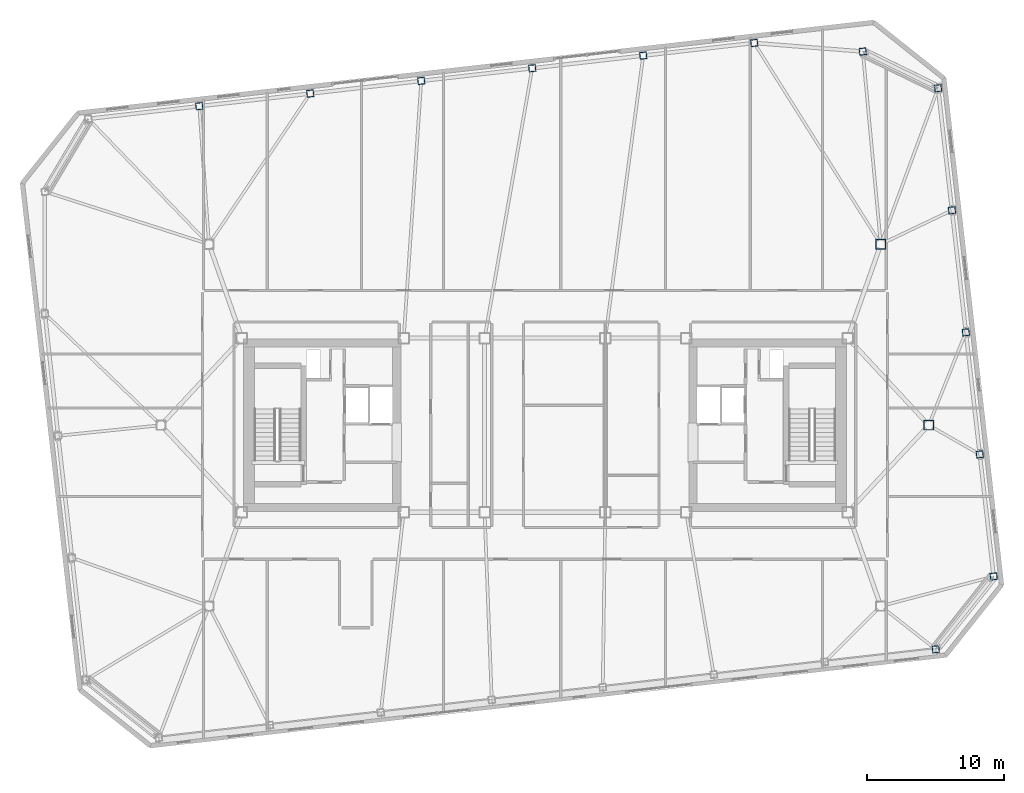
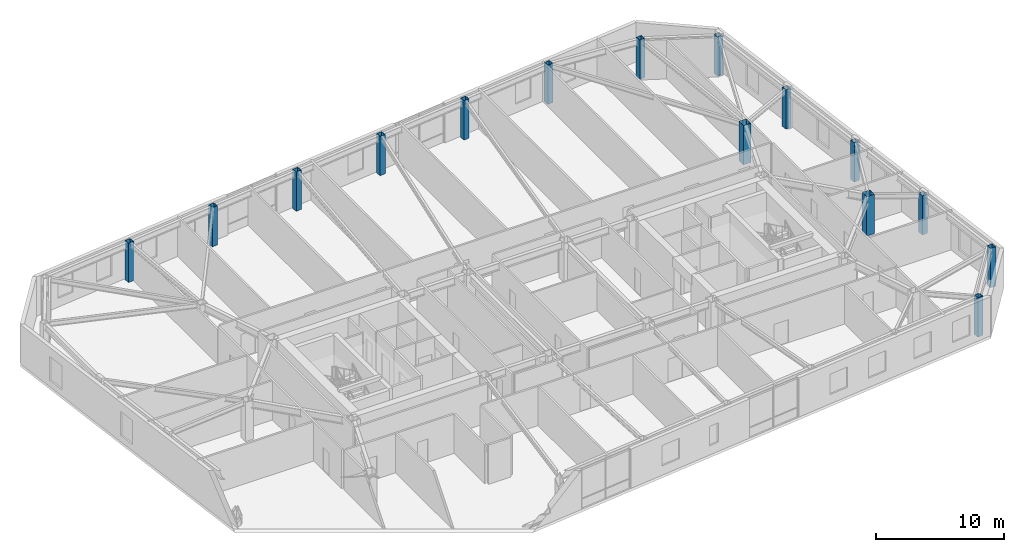
# One storey, part 2 of 19: 15 columns.
"""IFC4 building model written with IfcOpenShell, lengths in metres."""

from ifc_helpers import new_model, si_unit, direction, frame, origin, origin_2d, place, context, subcontext, project, spatial, hollow_rectangle, extrude, material, material_profile, profile_set, type_object, element, save


model = new_model("IFC4")

# Units and contexts
model_context = context("Model", 3, precision=1e-05, world=origin(), true_north=direction((0.0, 1.0)))
body_context = subcontext(model_context, "Body", "Model", "MODEL_VIEW")
ifc_project = project(units=[si_unit("LENGTHUNIT", "METRE"), si_unit("AREAUNIT", "SQUARE_METRE"), si_unit("VOLUMEUNIT", "CUBIC_METRE"), si_unit("PLANEANGLEUNIT", "RADIAN"), si_unit("MASSUNIT", "GRAM", prefix="KILO")], contexts=[model_context])

# Site, building, storey
site_placement = place(None, origin())
site = spatial("IfcSite", under=ifc_project, at=site_placement, CompositionType="ELEMENT")
building_placement = place(site_placement, origin())
building = spatial("IfcBuilding", under=site, at=building_placement, Name="Tavrogorsk Clinical Tower", CompositionType="ELEMENT")
storey_placement = place(building_placement, frame((0.0, 0.0, 259.0)))
storey = spatial("IfcBuildingStorey", under=building, at=storey_placement, Name="L60", CompositionType="ELEMENT", Elevation=259.0)

# Columns
ifc_material_1 = material(Name="Structural steel S440", Category="steel")
ifc_material_profile_1 = material_profile(ifc_material_1, hollow_rectangle(XDim=0.699951171875, YDim=0.699951171875, WallThickness=0.031982421875, at=origin_2d()), Name="BOX-700x700x32")
ifc_profile_set_1 = profile_set([ifc_material_profile_1], Name="Structural steel S440")
column_type_1 = type_object("IfcColumnType", Name="MegaCol_BOX700", PredefinedType="COLUMN", material=ifc_profile_set_1)
for number, where, z_axis, x_axis, name in (
    (1, (24.5, 13.199951171875, 0.0), (0.0, 0.0, 1.0), (1.0, 0.0, 0.0), "L60 Spine Pilotis Column MC-P4"),
    (2, (28.0, 0.0, 0.0), (0.0, 0.0, 1.0), (1.0, 0.0, 0.0), "L60 Spine Pilotis Column MC-P6"),
):
    element("IfcColumn", number, at=place(storey_placement, frame(where, z_axis=z_axis, x_axis=x_axis)), inside=storey, type_object=column_type_1, Name=name, PredefinedType="COLUMN", context=body_context, shape_type="SweptSolid", body=[
        extrude(hollow_rectangle(XDim=0.699951171875, YDim=0.699951171875, WallThickness=0.031982421875, at=origin_2d()), origin(), (0.0, 0.0, 1.0), 3.739990234375),
    ])
ifc_material_2 = material(Name="Structural steel S440", Category="steel")
ifc_material_profile_2 = material_profile(ifc_material_2, hollow_rectangle(XDim=0.5, YDim=0.5, WallThickness=0.02490234375, at=origin_2d()), Name="BOX-500x500x25")
ifc_profile_set_2 = profile_set([ifc_material_profile_2], Name="Structural steel S440")
column_type_2 = type_object("IfcColumnType", Name="PerimCol_B4_BOX500", PredefinedType="COLUMN", material=ifc_profile_set_2)
for number, where, z_axis, x_axis, name in (
    (3, (28.508544921875, -16.345458984375, 0.0), (0.0, 0.0, 1.0), (0.993571855677, 0.113203213768, 0.0), "L60 Perimeter Column S8"),
    (4, (23.188232421875, 27.25341796875, 0.0), (0.0, 0.0, 1.0), (0.993571855677, 0.113203213768, 0.0), "L60 Perimeter Column N1"),
    (5, (15.2685546875, 27.880126953125, 0.0), (0.0, 0.0, 1.0), (0.993571855677, 0.113203213768, 0.0), "L60 Perimeter Column N2"),
    (6, (7.17236328125, 26.95751953125, 0.0), (0.0, 0.0, 1.0), (0.993571855677, 0.113203213768, 0.0), "L60 Perimeter Column N3"),
    (7, (-0.923828125, 26.03515625, 0.0), (0.0, 0.0, 1.0), (0.993571855677, 0.113203213768, 0.0), "L60 Perimeter Column N4"),
    (8, (-9.02001953125, 25.11279296875, 0.0), (0.0, 0.0, 1.0), (0.993571855677, 0.113203213768, 0.0), "L60 Perimeter Column N5"),
    (9, (-17.1162109375, 24.190185546875, 0.0), (0.0, 0.0, 1.0), (0.993571855677, 0.113203213768, 0.0), "L60 Perimeter Column N6"),
    (10, (-25.21240234375, 23.267822265625, 0.0), (0.0, 0.0, 1.0), (0.993571855677, 0.113203213768, 0.0), "L60 Perimeter Column N7"),
    (11, (32.734375, -11.032958984375, 0.0), (0.0, 0.0, 1.0), (0.993571855677, 0.113203213768, 0.0), "L60 Perimeter Column E1"),
    (12, (31.72021484375, -2.130615234375, 0.0), (0.0, 0.0, 1.0), (0.993571855677, 0.113203213768, 0.0), "L60 Perimeter Column E2"),
    (13, (30.705810546875, 6.77197265625, 0.0), (0.0, 0.0, 1.0), (0.993571855677, 0.113203213768, 0.0), "L60 Perimeter Column E3"),
    (14, (29.69140625, 15.67431640625, 0.0), (0.0, 0.0, 1.0), (0.993571855677, 0.113203213768, 0.0), "L60 Perimeter Column E4"),
    (15, (28.67724609375, 24.57666015625, 0.0), (0.0, 0.0, 1.0), (0.993571855677, 0.113203213768, 0.0), "L60 Perimeter Column E5"),
):
    element("IfcColumn", number, at=place(storey_placement, frame(where, z_axis=z_axis, x_axis=x_axis)), inside=storey, type_object=column_type_2, Name=name, PredefinedType="COLUMN", context=body_context, shape_type="SweptSolid", body=[
        extrude(hollow_rectangle(XDim=0.5, YDim=0.5, WallThickness=0.02490234375, at=origin_2d()), origin(), (0.0, 0.0, 1.0), 3.739990234375),
    ])

save(model, "model.ifc")
